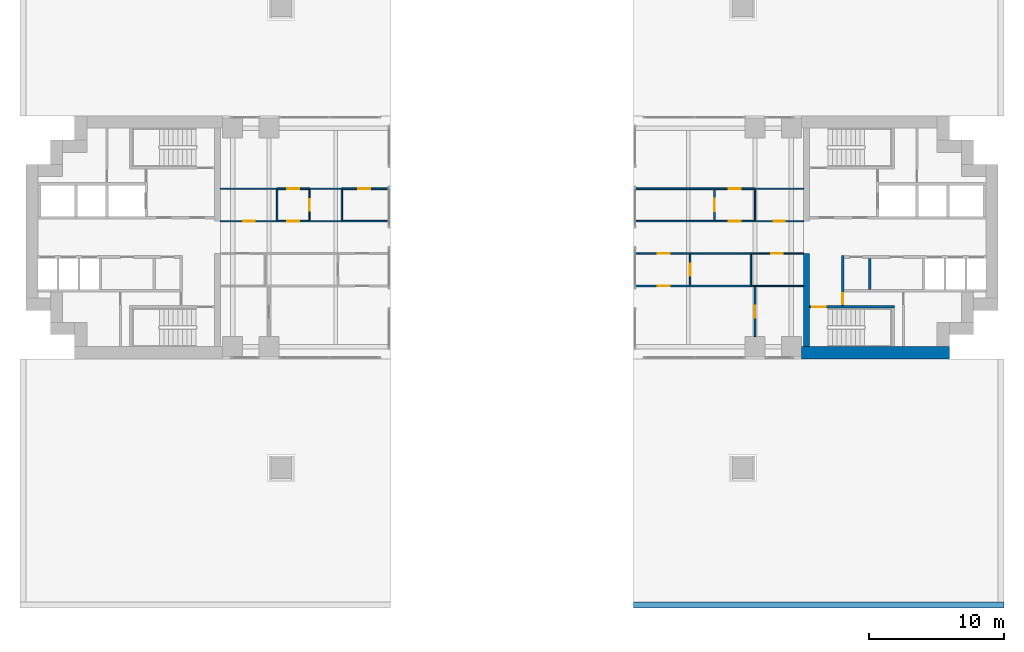
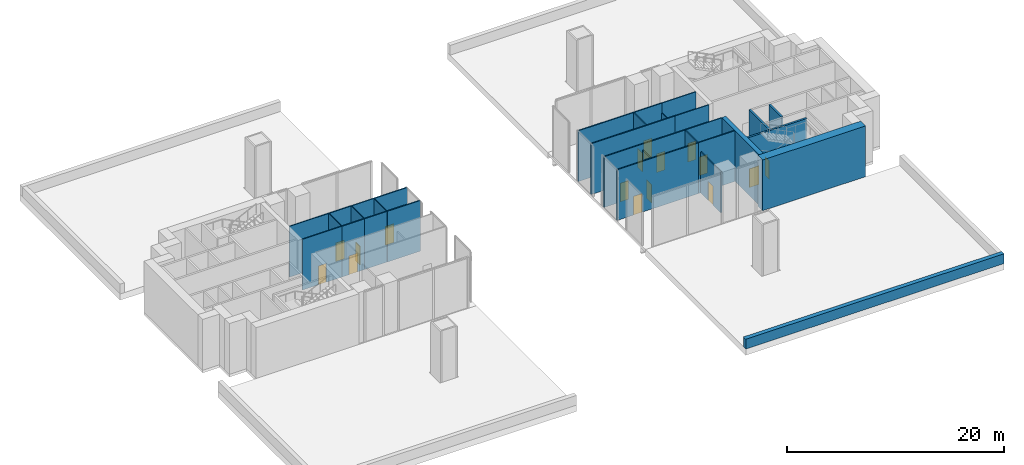
# One storey, part 7 of 13: 30 walls, 16 doors, 16 openings.
"""IFC4 building model written with IfcOpenShell, lengths in metres."""

from ifc_helpers import new_model, si_unit, direction, frame, frame_2d, origin, place, context, subcontext, project, spatial, rectangle, extrude, material, layer, layer_set, type_object, element, fill, save


model = new_model("IFC4")

# Units and contexts
model_context = context("Model", 3, precision=1e-05, world=origin(), true_north=direction((0.0, 1.0)))
body_context = subcontext(model_context, "Body", "Model", "MODEL_VIEW")
ifc_project = project(units=[si_unit("LENGTHUNIT", "METRE"), si_unit("AREAUNIT", "SQUARE_METRE"), si_unit("VOLUMEUNIT", "CUBIC_METRE"), si_unit("PLANEANGLEUNIT", "RADIAN"), si_unit("MASSUNIT", "GRAM", prefix="KILO")], contexts=[model_context])

# Site, building, storey
site_placement = place(None, origin())
site = spatial("IfcSite", under=ifc_project, at=site_placement, CompositionType="ELEMENT")
building_placement = place(site_placement, origin())
building = spatial("IfcBuilding", under=site, at=building_placement, Name="Perihelion Cross Residences", CompositionType="ELEMENT")
storey_placement = place(building_placement, frame((0.0, 0.0, 15.0)))
storey = spatial("IfcBuildingStorey", under=building, at=storey_placement, Name="L01", CompositionType="ELEMENT", Elevation=15.0)

# Walls
ifc_material_1 = material(Name="Concrete C60/75", Category="concrete")
ifc_layer_1 = layer(ifc_material_1, 0.449951171875)
ifc_layer_set_1 = layer_set([ifc_layer_1], Name="Core wall, inner 450")
wall_type_1 = type_object("IfcWallType", Name="Core wall, inner 450", PredefinedType="SHEAR", material=ifc_layer_set_1)
wall_1_placement = place(storey_placement, frame((21.824951171875, -8.10009765625, 0.0), z_axis=(0.0, 0.0, 1.0), x_axis=(0.0, 1.0, 0.0)))
element("IfcWall", 1, at=wall_1_placement, inside=storey, type_object=wall_type_1, Name="East core core wall, inner", PredefinedType="SHEAR", context=body_context, shape_type="SweptSolid", body=[
    extrude(rectangle(XDim=6.900146484375, YDim=0.449951171875, at=frame_2d((3.4501953125, 0.0))), origin(), (0.0, 0.0, 1.0), 5.699951171875),
])
ifc_material_2 = material(Name="Concrete C60/75", Category="concrete")
ifc_layer_2 = layer(ifc_material_2, 0.89990234375)
ifc_layer_set_2 = layer_set([ifc_layer_2], Name="Core wall, outer 900")
wall_type_2 = type_object("IfcWallType", Name="Core wall, outer 900", PredefinedType="SHEAR", material=ifc_layer_set_2)
wall_2_placement = place(storey_placement, frame((21.449951171875, -8.550048828125, 0.0), z_axis=(0.0, 0.0, 1.0), x_axis=(1.0, 0.0, 0.0)))
element("IfcWall", 2, at=wall_2_placement, inside=storey, type_object=wall_type_2, Name="East core core wall, outer", PredefinedType="SHEAR", context=body_context, shape_type="SweptSolid", body=[
    extrude(rectangle(XDim=10.949951171875, YDim=0.89990234375, at=frame_2d((5.47509765625, 0.0))), origin(), (0.0, 0.0, 1.0), 5.699951171875),
])

# Wall, opening, door
ifc_material_3 = material(Name="Concrete C50/60", Category="concrete")
ifc_layer_3 = layer(ifc_material_3, 0.199951171875)
ifc_layer_set_3 = layer_set([ifc_layer_3], Name="Lobby wall 200")
wall_type_3 = type_object("IfcWallType", Name="Lobby wall 200", PredefinedType="SOLIDWALL", material=ifc_layer_set_3)
wall_3_placement = place(storey_placement, frame((24.5, -5.050048828125, 0.0), z_axis=(0.0, 0.0, 1.0), x_axis=(0.0, 1.0, 0.0)))
wall_3 = element("IfcWall", 3, at=wall_3_placement, inside=storey, type_object=wall_type_3, Name="East core lobby wall", PredefinedType="SOLIDWALL", context=body_context, shape_type="SweptSolid", body=[
    extrude(rectangle(XDim=3.699951171875, YDim=0.199951171875, at=frame_2d((1.85009765625, 0.0))), origin(), (0.0, 0.0, 1.0), 5.699951171875),
])
opening_1_placement = place(wall_3_placement, frame((0.10009765625, 0.0, 0.0)))
opening_1 = element("IfcOpeningElement", 4, at=opening_1_placement, cuts=wall_3, Name="Opening L01.C08", PredefinedType="OPENING", context=body_context, shape_type="SweptSolid", body=[
    extrude(rectangle(XDim=0.800048828125, YDim=2.10009765625, at=frame_2d((0.39990234375, 1.050048828125))), frame((0.0, 0.10986328125, 0.0), z_axis=(0.0, -1.0, 0.0), x_axis=(1.0, 0.0, 0.0)), (0.0, 0.0, 1.0), 0.219970703125),
])
ifc_material_4 = material(Name="Steel, powder coated", Category="steel")
door_type_1 = type_object("IfcDoorType", Name="Riser door 800", OperationType="SINGLE_SWING_LEFT", PredefinedType="DOOR", material=ifc_material_4)
door_1_placement = place(opening_1_placement, origin())
door_1 = element("IfcDoor", 5, at=door_1_placement, inside=storey, type_object=door_type_1, Name="East core riser door", OperationType="SINGLE_SWING_LEFT", OverallHeight=2.10009765625, OverallWidth=0.800048828125, PredefinedType="DOOR", context=body_context, shape_type="SweptSolid", body=[
    extrude(rectangle(XDim=0.800048828125, YDim=2.10009765625, at=frame_2d((0.39990234375, 1.050048828125))), frame((0.0, 0.02490234375, 0.0), z_axis=(0.0, -1.0, 0.0), x_axis=(1.0, 0.0, 0.0)), (0.0, 0.0, 1.0), 0.050048828125),
])
fill(opening_1, door_1)

# Wall
ifc_material_5 = material(Name="Concrete C40/50", Category="concrete")
ifc_layer_4 = layer(ifc_material_5, 0.449951171875)
ifc_layer_set_4 = layer_set([ifc_layer_4], Name="Loggia parapet 450")
wall_type_4 = type_object("IfcWallType", Name="Loggia parapet 450", PredefinedType="PARAPET", material=ifc_layer_set_4)
wall_4_placement = place(storey_placement, frame((9.0, -27.22509765625, 0.0), z_axis=(0.0, 0.0, 1.0), x_axis=(1.0, 0.0, 0.0)))
element("IfcWall", 6, at=wall_4_placement, inside=storey, type_object=wall_type_4, Name="Wall PP2 L01 loggia parapet south-east north-south", PredefinedType="PARAPET", context=body_context, shape_type="SweptSolid", body=[
    extrude(rectangle(XDim=27.449951171875, YDim=0.449951171875, at=frame_2d((13.72509765625, 0.0))), origin(), (0.0, 0.0, 1.0), 1.10009765625),
])

# Wall, opening, door
ifc_material_6 = material(Name="Plasterboard partition")
ifc_layer_5 = layer(ifc_material_6, 0.1201171875)
ifc_layer_set_5 = layer_set([ifc_layer_5], Name="Partition wall 120")
wall_type_5 = type_object("IfcWallType", Name="Partition wall 120", PredefinedType="PARTITIONING", material=ifc_layer_set_5)
wall_5_placement = place(storey_placement, frame((9.080078125, 1.199951171875, 0.0), z_axis=(0.0, 0.0, 1.0), x_axis=(1.0, 0.0, 0.0)))
wall_5 = element("IfcWall", 7, at=wall_5_placement, inside=storey, type_object=wall_type_5, Name="Partition L01 W001", PredefinedType="PARTITIONING", context=body_context, shape_type="SweptSolid", body=[
    extrude(rectangle(XDim=8.919921875, YDim=0.1201171875, at=frame_2d((4.4599609375, 0.0))), origin(), (0.0, 0.0, 1.0), 5.699951171875),
])
opening_2_placement = place(wall_5_placement, frame((6.969970703125, 0.0, 0.0)))
opening_2 = element("IfcOpeningElement", 8, at=opening_2_placement, cuts=wall_5, Name="Opening L01.A01", PredefinedType="OPENING", context=body_context, shape_type="SweptSolid", body=[
    extrude(rectangle(XDim=0.89990234375, YDim=2.10009765625, at=frame_2d((0.449951171875, 1.050048828125))), frame((0.0, 0.070068359375, 0.0), z_axis=(0.0, -1.0, 0.0), x_axis=(1.0, 0.0, 0.0)), (0.0, 0.0, 1.0), 0.14013671875),
])
ifc_material_7 = material(Name="Timber door leaf", Category="wood")
door_type_2 = type_object("IfcDoorType", Name="Interior room door 900 x 2100", OperationType="SINGLE_SWING_LEFT", PredefinedType="DOOR", material=ifc_material_7)
door_2_placement = place(opening_2_placement, origin())
door_2 = element("IfcDoor", 9, at=door_2_placement, inside=storey, type_object=door_type_2, Name="Door L01.A01", OperationType="SINGLE_SWING_LEFT", OverallHeight=2.10009765625, OverallWidth=0.89990234375, PredefinedType="DOOR", context=body_context, shape_type="SweptSolid", body=[
    extrude(rectangle(XDim=0.89990234375, YDim=2.10009765625, at=frame_2d((0.449951171875, 1.050048828125))), frame((0.0, 0.02490234375, 0.0), z_axis=(0.0, -1.0, 0.0), x_axis=(1.0, 0.0, 0.0)), (0.0, 0.0, 1.0), 0.050048828125),
])
fill(opening_2, door_2)

wall_6_placement = place(storey_placement, frame((17.699951171875, -1.199951171875, 0.0), z_axis=(0.0, 0.0, 1.0), x_axis=(-1.0, 0.0, 0.0)))
wall_6 = element("IfcWall", 10, at=wall_6_placement, inside=storey, type_object=wall_type_5, Name="Partition L01 W003", PredefinedType="PARTITIONING", context=body_context, shape_type="SweptSolid", body=[
    extrude(rectangle(XDim=8.619873046875, YDim=0.1201171875, at=frame_2d((4.31005859375, 0.0))), origin(), (0.0, 0.0, 1.0), 5.699951171875),
])
opening_3_placement = place(wall_6_placement, frame((6.0, 0.0, 0.0)))
opening_3 = element("IfcOpeningElement", 11, at=opening_3_placement, cuts=wall_6, Name="Opening L01.A03", PredefinedType="OPENING", context=body_context, shape_type="SweptSolid", body=[
    extrude(rectangle(XDim=0.89990234375, YDim=2.10009765625, at=frame_2d((0.449951171875, 1.050048828125))), frame((0.0, 0.070068359375, 0.0), z_axis=(0.0, -1.0, 0.0), x_axis=(1.0, 0.0, 0.0)), (0.0, 0.0, 1.0), 0.14013671875),
])
door_3_placement = place(opening_3_placement, origin())
door_3 = element("IfcDoor", 12, at=door_3_placement, inside=storey, type_object=door_type_2, Name="Door L01.A03", OperationType="SINGLE_SWING_RIGHT", OverallHeight=2.10009765625, OverallWidth=0.89990234375, PredefinedType="DOOR", context=body_context, shape_type="SweptSolid", body=[
    extrude(rectangle(XDim=0.89990234375, YDim=2.10009765625, at=frame_2d((0.449951171875, 1.050048828125))), frame((0.0, 0.02490234375, 0.0), z_axis=(0.0, -1.0, 0.0), x_axis=(1.0, 0.0, 0.0)), (0.0, 0.0, 1.0), 0.050048828125),
])
fill(opening_3, door_3)

# Wall
wall_7_placement = place(storey_placement, frame((-12.60009765625, 1.199951171875, 0.0), z_axis=(0.0, 0.0, 1.0), x_axis=(1.0, 0.0, 0.0)))
element("IfcWall", 13, at=wall_7_placement, inside=storey, type_object=wall_type_5, Name="Partition L01 W005", PredefinedType="PARTITIONING", context=body_context, shape_type="SweptSolid", body=[
    extrude(rectangle(XDim=3.52001953125, YDim=0.1201171875, at=frame_2d((1.760009765625, 0.0))), origin(), (0.0, 0.0, 1.0), 5.699951171875),
])

# Wall, opening, door
wall_8_placement = place(storey_placement, frame((-17.39990234375, 1.199951171875, 0.0), z_axis=(0.0, 0.0, 1.0), x_axis=(1.0, 0.0, 0.0)))
wall_8 = element("IfcWall", 14, at=wall_8_placement, inside=storey, type_object=wall_type_5, Name="Partition L01 W007", PredefinedType="PARTITIONING", context=body_context, shape_type="SweptSolid", body=[
    extrude(rectangle(XDim=2.39990234375, YDim=0.1201171875, at=frame_2d((1.199951171875, 0.0))), origin(), (0.0, 0.0, 1.0), 5.699951171875),
])
opening_4_placement = place(wall_8_placement, frame((0.75, 0.0, 0.0)))
opening_4 = element("IfcOpeningElement", 15, at=opening_4_placement, cuts=wall_8, Name="Opening L01.A10", PredefinedType="OPENING", context=body_context, shape_type="SweptSolid", body=[
    extrude(rectangle(XDim=0.89990234375, YDim=2.10009765625, at=frame_2d((0.449951171875, 1.050048828125))), frame((0.0, 0.070068359375, 0.0), z_axis=(0.0, -1.0, 0.0), x_axis=(1.0, 0.0, 0.0)), (0.0, 0.0, 1.0), 0.14013671875),
])
door_4_placement = place(opening_4_placement, origin())
door_4 = element("IfcDoor", 16, at=door_4_placement, inside=storey, type_object=door_type_2, Name="Door L01.A10", OperationType="SINGLE_SWING_RIGHT", OverallHeight=2.10009765625, OverallWidth=0.89990234375, PredefinedType="DOOR", context=body_context, shape_type="SweptSolid", body=[
    extrude(rectangle(XDim=0.89990234375, YDim=2.10009765625, at=frame_2d((0.449951171875, 1.050048828125))), frame((0.0, 0.02490234375, 0.0), z_axis=(0.0, -1.0, 0.0), x_axis=(1.0, 0.0, 0.0)), (0.0, 0.0, 1.0), 0.050048828125),
])
fill(opening_4, door_4)

wall_9_placement = place(storey_placement, frame((18.0, 3.60009765625, 0.0), z_axis=(0.0, 0.0, 1.0), x_axis=(-1.0, 0.0, 0.0)))
wall_9 = element("IfcWall", 17, at=wall_9_placement, inside=storey, type_object=wall_type_5, Name="Partition L01 W011", PredefinedType="PARTITIONING", context=body_context, shape_type="SweptSolid", body=[
    extrude(rectangle(XDim=8.919921875, YDim=0.1201171875, at=frame_2d((4.4599609375, 0.0))), origin(), (0.0, 0.0, 1.0), 5.699951171875),
])
opening_5_placement = place(wall_9_placement, frame((1.050048828125, 0.0, 0.0)))
opening_5 = element("IfcOpeningElement", 18, at=opening_5_placement, cuts=wall_9, Name="Opening L01.A07", PredefinedType="OPENING", context=body_context, shape_type="SweptSolid", body=[
    extrude(rectangle(XDim=0.89990234375, YDim=2.10009765625, at=frame_2d((0.449951171875, 1.050048828125))), frame((0.0, 0.070068359375, 0.0), z_axis=(0.0, -1.0, 0.0), x_axis=(1.0, 0.0, 0.0)), (0.0, 0.0, 1.0), 0.14013671875),
])
door_5_placement = place(opening_5_placement, origin())
door_5 = element("IfcDoor", 19, at=door_5_placement, inside=storey, type_object=door_type_2, Name="Door L01.A07", OperationType="SINGLE_SWING_RIGHT", OverallHeight=2.10009765625, OverallWidth=0.89990234375, PredefinedType="DOOR", context=body_context, shape_type="SweptSolid", body=[
    extrude(rectangle(XDim=0.89990234375, YDim=2.10009765625, at=frame_2d((0.449951171875, 1.050048828125))), frame((0.0, 0.02490234375, 0.0), z_axis=(0.0, -1.0, 0.0), x_axis=(1.0, 0.0, 0.0)), (0.0, 0.0, 1.0), 0.050048828125),
])
fill(opening_5, door_5)

wall_10_placement = place(storey_placement, frame((15.0, 3.5400390625, 0.0), z_axis=(0.0, 0.0, 1.0), x_axis=(0.0, -1.0, 0.0)))
wall_10 = element("IfcWall", 20, at=wall_10_placement, inside=storey, type_object=wall_type_5, Name="Partition L01 W013", PredefinedType="PARTITIONING", context=body_context, shape_type="SweptSolid", body=[
    extrude(rectangle(XDim=2.280029296875, YDim=0.1201171875, at=frame_2d((1.14013671875, 0.0))), origin(), (0.0, 0.0, 1.0), 5.699951171875),
])
opening_6_placement = place(wall_10_placement, frame((0.68994140625, 0.0, 0.0)))
opening_6 = element("IfcOpeningElement", 21, at=opening_6_placement, cuts=wall_10, Name="Opening L01.A08", PredefinedType="OPENING", context=body_context, shape_type="SweptSolid", body=[
    extrude(rectangle(XDim=0.89990234375, YDim=2.10009765625, at=frame_2d((0.449951171875, 1.050048828125))), frame((0.0, 0.070068359375, 0.0), z_axis=(0.0, -1.0, 0.0), x_axis=(1.0, 0.0, 0.0)), (0.0, 0.0, 1.0), 0.14013671875),
])
door_6_placement = place(opening_6_placement, origin())
door_6 = element("IfcDoor", 22, at=door_6_placement, inside=storey, type_object=door_type_2, Name="Door L01.A08", OperationType="SINGLE_SWING_LEFT", OverallHeight=2.10009765625, OverallWidth=0.89990234375, PredefinedType="DOOR", context=body_context, shape_type="SweptSolid", body=[
    extrude(rectangle(XDim=0.89990234375, YDim=2.10009765625, at=frame_2d((0.449951171875, 1.050048828125))), frame((0.0, 0.02490234375, 0.0), z_axis=(0.0, -1.0, 0.0), x_axis=(1.0, 0.0, 0.0)), (0.0, 0.0, 1.0), 0.050048828125),
])
fill(opening_6, door_6)

wall_11_placement = place(storey_placement, frame((18.0, -3.64990234375, 0.0), z_axis=(0.0, 0.0, 1.0), x_axis=(0.0, -1.0, 0.0)))
wall_11 = element("IfcWall", 23, at=wall_11_placement, inside=storey, type_object=wall_type_5, Name="Partition L01 W015", PredefinedType="PARTITIONING", context=body_context, shape_type="SweptSolid", body=[
    extrude(rectangle(XDim=3.7001953125, YDim=0.1201171875, at=frame_2d((1.85009765625, 0.0))), origin(), (0.0, 0.0, 1.0), 4.610107421875),
])
opening_7_placement = place(wall_11_placement, frame((1.39990234375, 0.0, 0.0)))
opening_7 = element("IfcOpeningElement", 24, at=opening_7_placement, cuts=wall_11, Name="Opening L01.A06", PredefinedType="OPENING", context=body_context, shape_type="SweptSolid", body=[
    extrude(rectangle(XDim=0.89990234375, YDim=2.10009765625, at=frame_2d((0.449951171875, 1.050048828125))), frame((0.0, 0.070068359375, 0.0), z_axis=(0.0, -1.0, 0.0), x_axis=(1.0, 0.0, 0.0)), (0.0, 0.0, 1.0), 0.14013671875),
])
door_7_placement = place(opening_7_placement, origin())
door_7 = element("IfcDoor", 25, at=door_7_placement, inside=storey, type_object=door_type_2, Name="Door L01.A06", OperationType="SINGLE_SWING_RIGHT", OverallHeight=2.10009765625, OverallWidth=0.89990234375, PredefinedType="DOOR", context=body_context, shape_type="SweptSolid", body=[
    extrude(rectangle(XDim=0.89990234375, YDim=2.10009765625, at=frame_2d((0.449951171875, 1.050048828125))), frame((0.0, 0.02490234375, 0.0), z_axis=(0.0, -1.0, 0.0), x_axis=(1.0, 0.0, 0.0)), (0.0, 0.0, 1.0), 0.050048828125),
])
fill(opening_7, door_7)

wall_12_placement = place(storey_placement, frame((9.080078125, -3.60009765625, 0.0), z_axis=(0.0, 0.0, 1.0), x_axis=(1.0, 0.0, 0.0)))
wall_12 = element("IfcWall", 26, at=wall_12_placement, inside=storey, type_object=wall_type_5, Name="Partition L01 W016", PredefinedType="PARTITIONING", context=body_context, shape_type="SweptSolid", body=[
    extrude(rectangle(XDim=8.619873046875, YDim=0.1201171875, at=frame_2d((4.31005859375, 0.0))), origin(), (0.0, 0.0, 1.0), 5.699951171875),
])
opening_8_placement = place(wall_12_placement, frame((1.719970703125, 0.0, 0.0)))
opening_8 = element("IfcOpeningElement", 27, at=opening_8_placement, cuts=wall_12, Name="Opening L01.A05", PredefinedType="OPENING", context=body_context, shape_type="SweptSolid", body=[
    extrude(rectangle(XDim=0.89990234375, YDim=2.10009765625, at=frame_2d((0.449951171875, 1.050048828125))), frame((0.0, 0.070068359375, 0.0), z_axis=(0.0, -1.0, 0.0), x_axis=(1.0, 0.0, 0.0)), (0.0, 0.0, 1.0), 0.14013671875),
])
door_8_placement = place(opening_8_placement, origin())
door_8 = element("IfcDoor", 28, at=door_8_placement, inside=storey, type_object=door_type_2, Name="Door L01.A05", OperationType="SINGLE_SWING_LEFT", OverallHeight=2.10009765625, OverallWidth=0.89990234375, PredefinedType="DOOR", context=body_context, shape_type="SweptSolid", body=[
    extrude(rectangle(XDim=0.89990234375, YDim=2.10009765625, at=frame_2d((0.449951171875, 1.050048828125))), frame((0.0, 0.02490234375, 0.0), z_axis=(0.0, -1.0, 0.0), x_axis=(1.0, 0.0, 0.0)), (0.0, 0.0, 1.0), 0.050048828125),
])
fill(opening_8, door_8)

wall_13_placement = place(storey_placement, frame((13.199951171875, -1.260009765625, 0.0), z_axis=(0.0, 0.0, 1.0), x_axis=(0.0, -1.0, 0.0)))
wall_13 = element("IfcWall", 29, at=wall_13_placement, inside=storey, type_object=wall_type_5, Name="Partition L01 W018", PredefinedType="PARTITIONING", context=body_context, shape_type="SweptSolid", body=[
    extrude(rectangle(XDim=2.280029296875, YDim=0.1201171875, at=frame_2d((1.14013671875, 0.0))), origin(), (0.0, 0.0, 1.0), 5.007080078125),
])
opening_9_placement = place(wall_13_placement, frame((0.68994140625, 0.0, 0.0)))
opening_9 = element("IfcOpeningElement", 30, at=opening_9_placement, cuts=wall_13, Name="Opening L01.A09", PredefinedType="OPENING", context=body_context, shape_type="SweptSolid", body=[
    extrude(rectangle(XDim=0.89990234375, YDim=2.10009765625, at=frame_2d((0.449951171875, 1.050048828125))), frame((0.0, 0.070068359375, 0.0), z_axis=(0.0, -1.0, 0.0), x_axis=(1.0, 0.0, 0.0)), (0.0, 0.0, 1.0), 0.14013671875),
])
door_9_placement = place(opening_9_placement, origin())
door_9 = element("IfcDoor", 31, at=door_9_placement, inside=storey, type_object=door_type_2, Name="Door L01.A09", OperationType="SINGLE_SWING_RIGHT", OverallHeight=2.10009765625, OverallWidth=0.89990234375, PredefinedType="DOOR", context=body_context, shape_type="SweptSolid", body=[
    extrude(rectangle(XDim=0.89990234375, YDim=2.10009765625, at=frame_2d((0.449951171875, 1.050048828125))), frame((0.0, 0.02490234375, 0.0), z_axis=(0.0, -1.0, 0.0), x_axis=(1.0, 0.0, 0.0)), (0.0, 0.0, 1.0), 0.050048828125),
])
fill(opening_9, door_9)

wall_14_placement = place(storey_placement, frame((-9.080078125, 3.60009765625, 0.0), z_axis=(0.0, 0.0, 1.0), x_axis=(-1.0, 0.0, 0.0)))
wall_14 = element("IfcWall", 32, at=wall_14_placement, inside=storey, type_object=wall_type_5, Name="Partition L01 W020", PredefinedType="PARTITIONING", context=body_context, shape_type="SweptSolid", body=[
    extrude(rectangle(XDim=3.52001953125, YDim=0.1201171875, at=frame_2d((1.760009765625, 0.0))), origin(), (0.0, 0.0, 1.0), 5.699951171875),
])
opening_10_placement = place(wall_14_placement, frame((1.419921875, 0.0, 0.0)))
opening_10 = element("IfcOpeningElement", 33, at=opening_10_placement, cuts=wall_14, Name="Opening L01.A15", PredefinedType="OPENING", context=body_context, shape_type="SweptSolid", body=[
    extrude(rectangle(XDim=0.89990234375, YDim=2.10009765625, at=frame_2d((0.449951171875, 1.050048828125))), frame((0.0, 0.070068359375, 0.0), z_axis=(0.0, -1.0, 0.0), x_axis=(1.0, 0.0, 0.0)), (0.0, 0.0, 1.0), 0.14013671875),
])
door_10_placement = place(opening_10_placement, origin())
door_10 = element("IfcDoor", 34, at=door_10_placement, inside=storey, type_object=door_type_2, Name="Door L01.A15", OperationType="SINGLE_SWING_LEFT", OverallHeight=2.10009765625, OverallWidth=0.89990234375, PredefinedType="DOOR", context=body_context, shape_type="SweptSolid", body=[
    extrude(rectangle(XDim=0.89990234375, YDim=2.10009765625, at=frame_2d((0.449951171875, 1.050048828125))), frame((0.0, 0.02490234375, 0.0), z_axis=(0.0, -1.0, 0.0), x_axis=(1.0, 0.0, 0.0)), (0.0, 0.0, 1.0), 0.050048828125),
])
fill(opening_10, door_10)

wall_15_placement = place(storey_placement, frame((-15.0, 3.60009765625, 0.0), z_axis=(0.0, 0.0, 1.0), x_axis=(-1.0, 0.0, 0.0)))
wall_15 = element("IfcWall", 35, at=wall_15_placement, inside=storey, type_object=wall_type_5, Name="Partition L01 W022", PredefinedType="PARTITIONING", context=body_context, shape_type="SweptSolid", body=[
    extrude(rectangle(XDim=2.39990234375, YDim=0.1201171875, at=frame_2d((1.199951171875, 0.0))), origin(), (0.0, 0.0, 1.0), 5.699951171875),
])
opening_11_placement = place(wall_15_placement, frame((0.75, 0.0, 0.0)))
opening_11 = element("IfcOpeningElement", 36, at=opening_11_placement, cuts=wall_15, Name="Opening L01.A14", PredefinedType="OPENING", context=body_context, shape_type="SweptSolid", body=[
    extrude(rectangle(XDim=0.89990234375, YDim=2.10009765625, at=frame_2d((0.449951171875, 1.050048828125))), frame((0.0, 0.070068359375, 0.0), z_axis=(0.0, -1.0, 0.0), x_axis=(1.0, 0.0, 0.0)), (0.0, 0.0, 1.0), 0.14013671875),
])
door_11_placement = place(opening_11_placement, origin())
door_11 = element("IfcDoor", 37, at=door_11_placement, inside=storey, type_object=door_type_2, Name="Door L01.A14", OperationType="SINGLE_SWING_RIGHT", OverallHeight=2.10009765625, OverallWidth=0.89990234375, PredefinedType="DOOR", context=body_context, shape_type="SweptSolid", body=[
    extrude(rectangle(XDim=0.89990234375, YDim=2.10009765625, at=frame_2d((0.449951171875, 1.050048828125))), frame((0.0, 0.02490234375, 0.0), z_axis=(0.0, -1.0, 0.0), x_axis=(1.0, 0.0, 0.0)), (0.0, 0.0, 1.0), 0.050048828125),
])
fill(opening_11, door_11)

# Wall
ifc_material_8 = material(Name="Fire-rated board on steel stud", Category="steel")
ifc_layer_6 = layer(ifc_material_8, 0.199951171875)
ifc_layer_set_6 = layer_set([ifc_layer_6], Name="Riser wall 200")
wall_type_6 = type_object("IfcWallType", Name="Riser wall 200", PredefinedType="PARTITIONING", material=ifc_layer_set_6)
wall_16_placement = place(storey_placement, frame((26.5, -3.85009765625, 0.0), z_axis=(0.0, 0.0, 1.0), x_axis=(0.0, 1.0, 0.0)))
element("IfcWall", 38, at=wall_16_placement, inside=storey, type_object=wall_type_6, Name="East core riser wall", PredefinedType="PARTITIONING", context=body_context, shape_type="SweptSolid", body=[
    extrude(rectangle(XDim=2.300048828125, YDim=0.199951171875, at=frame_2d((1.14990234375, 0.0))), origin(), (0.0, 0.0, 1.0), 5.699951171875),
])

# Wall, opening, door
ifc_material_9 = material(Name="Concrete C50/60", Category="concrete")
ifc_layer_7 = layer(ifc_material_9, 0.199951171875)
ifc_layer_set_7 = layer_set([ifc_layer_7], Name="Stair wall 200")
wall_type_7 = type_object("IfcWallType", Name="Stair wall 200", PredefinedType="SOLIDWALL", material=ifc_layer_set_7)
wall_17_placement = place(storey_placement, frame((22.050048828125, -5.14990234375, 0.0), z_axis=(0.0, 0.0, 1.0), x_axis=(1.0, 0.0, 0.0)))
wall_17 = element("IfcWall", 39, at=wall_17_placement, inside=storey, type_object=wall_type_7, Name="East core stair wall", PredefinedType="SOLIDWALL", context=body_context, shape_type="SweptSolid", body=[
    extrude(rectangle(XDim=6.300048828125, YDim=0.199951171875, at=frame_2d((3.14990234375, 0.0))), origin(), (0.0, 0.0, 1.0), 5.699951171875),
])
opening_12_placement = place(wall_17_placement, frame((0.199951171875, 0.0, 0.0)))
opening_12 = element("IfcOpeningElement", 40, at=opening_12_placement, cuts=wall_17, Name="Opening L01.C05", PredefinedType="OPENING", context=body_context, shape_type="SweptSolid", body=[
    extrude(rectangle(XDim=1.0, YDim=2.10009765625, at=frame_2d((0.5, 1.050048828125))), frame((0.0, 0.10986328125, 0.0), z_axis=(0.0, -1.0, 0.0), x_axis=(1.0, 0.0, 0.0)), (0.0, 0.0, 1.0), 0.219970703125),
])
ifc_material_10 = material(Name="Steel, powder coated", Category="steel")
door_type_3 = type_object("IfcDoorType", Name="Stair door 1000", OperationType="SINGLE_SWING_LEFT", PredefinedType="DOOR", material=ifc_material_10)
door_12_placement = place(opening_12_placement, origin())
door_12 = element("IfcDoor", 41, at=door_12_placement, inside=storey, type_object=door_type_3, Name="East core stair door", OperationType="SINGLE_SWING_LEFT", OverallHeight=2.10009765625, OverallWidth=1.0, PredefinedType="DOOR", context=body_context, shape_type="SweptSolid", body=[
    extrude(rectangle(XDim=1.0, YDim=2.10009765625, at=frame_2d((0.5, 1.050048828125))), frame((0.0, 0.02490234375, 0.0), z_axis=(0.0, -1.0, 0.0), x_axis=(1.0, 0.0, 0.0)), (0.0, 0.0, 1.0), 0.050048828125),
])
fill(opening_12, door_12)

ifc_material_11 = material(Name="Plasterboard partition")
ifc_layer_8 = layer(ifc_material_11, 0.10009765625)
ifc_layer_set_8 = layer_set([ifc_layer_8], Name="Wet room wall 100")
wall_type_8 = type_object("IfcWallType", Name="Wet room wall 100", PredefinedType="PARTITIONING", material=ifc_layer_set_8)
wall_18_placement = place(storey_placement, frame((18.0, 1.199951171875, 0.0), z_axis=(0.0, 0.0, 1.0), x_axis=(1.0, 0.0, 0.0)))
wall_18 = element("IfcWall", 42, at=wall_18_placement, inside=storey, type_object=wall_type_8, Name="Partition L01 W002", PredefinedType="PARTITIONING", context=body_context, shape_type="SweptSolid", body=[
    extrude(rectangle(XDim=3.60009765625, YDim=0.10009765625, at=frame_2d((1.800048828125, 0.0))), origin(), (0.0, 0.0, 1.0), 5.699951171875),
])
opening_13_placement = place(wall_18_placement, frame((1.375, 0.0, 0.0)))
opening_13 = element("IfcOpeningElement", 43, at=opening_13_placement, cuts=wall_18, Name="Opening L01.A02", PredefinedType="OPENING", context=body_context, shape_type="SweptSolid", body=[
    extrude(rectangle(XDim=0.85009765625, YDim=2.10009765625, at=frame_2d((0.425048828125, 1.050048828125))), frame((0.0, 0.06005859375, 0.0), z_axis=(0.0, -1.0, 0.0), x_axis=(1.0, 0.0, 0.0)), (0.0, 0.0, 1.0), 0.1201171875),
])
ifc_material_12 = material(Name="Timber door leaf", Category="wood")
door_type_4 = type_object("IfcDoorType", Name="Interior bathroom door 850 x 2100", OperationType="SINGLE_SWING_LEFT", PredefinedType="DOOR", material=ifc_material_12)
door_13_placement = place(opening_13_placement, origin())
door_13 = element("IfcDoor", 44, at=door_13_placement, inside=storey, type_object=door_type_4, Name="Door L01.A02", OperationType="SINGLE_SWING_RIGHT", OverallHeight=2.10009765625, OverallWidth=0.85009765625, PredefinedType="DOOR", context=body_context, shape_type="SweptSolid", body=[
    extrude(rectangle(XDim=0.85009765625, YDim=2.10009765625, at=frame_2d((0.425048828125, 1.050048828125))), frame((0.0, 0.02490234375, 0.0), z_axis=(0.0, -1.0, 0.0), x_axis=(1.0, 0.0, 0.0)), (0.0, 0.0, 1.0), 0.050048828125),
])
fill(opening_13, door_13)

wall_19_placement = place(storey_placement, frame((21.60009765625, -1.199951171875, 0.0), z_axis=(0.0, 0.0, 1.0), x_axis=(-1.0, 0.0, 0.0)))
wall_19 = element("IfcWall", 45, at=wall_19_placement, inside=storey, type_object=wall_type_8, Name="Partition L01 W004", PredefinedType="PARTITIONING", context=body_context, shape_type="SweptSolid", body=[
    extrude(rectangle(XDim=3.900146484375, YDim=0.10009765625, at=frame_2d((1.9501953125, 0.0))), origin(), (0.0, 0.0, 1.0), 5.699951171875),
])
opening_14_placement = place(wall_19_placement, frame((1.52490234375, 0.0, 0.0)))
opening_14 = element("IfcOpeningElement", 46, at=opening_14_placement, cuts=wall_19, Name="Opening L01.A04", PredefinedType="OPENING", context=body_context, shape_type="SweptSolid", body=[
    extrude(rectangle(XDim=0.85009765625, YDim=2.10009765625, at=frame_2d((0.425048828125, 1.050048828125))), frame((0.0, 0.06005859375, 0.0), z_axis=(0.0, -1.0, 0.0), x_axis=(1.0, 0.0, 0.0)), (0.0, 0.0, 1.0), 0.1201171875),
])
door_14_placement = place(opening_14_placement, origin())
door_14 = element("IfcDoor", 47, at=door_14_placement, inside=storey, type_object=door_type_4, Name="Door L01.A04", OperationType="SINGLE_SWING_RIGHT", OverallHeight=2.10009765625, OverallWidth=0.85009765625, PredefinedType="DOOR", context=body_context, shape_type="SweptSolid", body=[
    extrude(rectangle(XDim=0.85009765625, YDim=2.10009765625, at=frame_2d((0.425048828125, 1.050048828125))), frame((0.0, 0.02490234375, 0.0), z_axis=(0.0, -1.0, 0.0), x_axis=(1.0, 0.0, 0.0)), (0.0, 0.0, 1.0), 0.050048828125),
])
fill(opening_14, door_14)

# Wall
wall_20_placement = place(storey_placement, frame((-15.0, 1.199951171875, 0.0), z_axis=(0.0, 0.0, 1.0), x_axis=(1.0, 0.0, 0.0)))
element("IfcWall", 48, at=wall_20_placement, inside=storey, type_object=wall_type_8, Name="Partition L01 W006", PredefinedType="PARTITIONING", context=body_context, shape_type="SweptSolid", body=[
    extrude(rectangle(XDim=2.39990234375, YDim=0.10009765625, at=frame_2d((1.199951171875, 0.0))), origin(), (0.0, 0.0, 1.0), 5.699951171875),
])

# Wall, opening, door
wall_21_placement = place(storey_placement, frame((-21.60009765625, 1.199951171875, 0.0), z_axis=(0.0, 0.0, 1.0), x_axis=(1.0, 0.0, 0.0)))
wall_21 = element("IfcWall", 49, at=wall_21_placement, inside=storey, type_object=wall_type_8, Name="Partition L01 W008", PredefinedType="PARTITIONING", context=body_context, shape_type="SweptSolid", body=[
    extrude(rectangle(XDim=4.2001953125, YDim=0.10009765625, at=frame_2d((2.10009765625, 0.0))), origin(), (0.0, 0.0, 1.0), 5.699951171875),
])
opening_15_placement = place(wall_21_placement, frame((1.675048828125, 0.0, 0.0)))
opening_15 = element("IfcOpeningElement", 50, at=opening_15_placement, cuts=wall_21, Name="Opening L01.A11", PredefinedType="OPENING", context=body_context, shape_type="SweptSolid", body=[
    extrude(rectangle(XDim=0.85009765625, YDim=2.10009765625, at=frame_2d((0.425048828125, 1.050048828125))), frame((0.0, 0.06005859375, 0.0), z_axis=(0.0, -1.0, 0.0), x_axis=(1.0, 0.0, 0.0)), (0.0, 0.0, 1.0), 0.1201171875),
])
door_15_placement = place(opening_15_placement, origin())
door_15 = element("IfcDoor", 51, at=door_15_placement, inside=storey, type_object=door_type_4, Name="Door L01.A11", OperationType="SINGLE_SWING_LEFT", OverallHeight=2.10009765625, OverallWidth=0.85009765625, PredefinedType="DOOR", context=body_context, shape_type="SweptSolid", body=[
    extrude(rectangle(XDim=0.85009765625, YDim=2.10009765625, at=frame_2d((0.425048828125, 1.050048828125))), frame((0.0, 0.02490234375, 0.0), z_axis=(0.0, -1.0, 0.0), x_axis=(1.0, 0.0, 0.0)), (0.0, 0.0, 1.0), 0.050048828125),
])
fill(opening_15, door_15)

# Walls
wall_22_placement = place(storey_placement, frame((21.60009765625, 3.60009765625, 0.0), z_axis=(0.0, 0.0, 1.0), x_axis=(-1.0, 0.0, 0.0)))
element("IfcWall", 52, at=wall_22_placement, inside=storey, type_object=wall_type_8, Name="Partition L01 W012", PredefinedType="PARTITIONING", context=body_context, shape_type="SweptSolid", body=[
    extrude(rectangle(XDim=3.60009765625, YDim=0.10009765625, at=frame_2d((1.800048828125, 0.0))), origin(), (0.0, 0.0, 1.0), 5.699951171875),
])
wall_23_placement = place(storey_placement, frame((18.0, 3.5400390625, 0.0), z_axis=(0.0, 0.0, 1.0), x_axis=(0.0, -1.0, 0.0)))
element("IfcWall", 53, at=wall_23_placement, inside=storey, type_object=wall_type_8, Name="Partition L01 W014", PredefinedType="PARTITIONING", context=body_context, shape_type="SweptSolid", body=[
    extrude(rectangle(XDim=2.280029296875, YDim=0.10009765625, at=frame_2d((1.14013671875, 0.0))), origin(), (0.0, 0.0, 1.0), 4.610107421875),
])
wall_24_placement = place(storey_placement, frame((17.699951171875, -3.60009765625, 0.0), z_axis=(0.0, 0.0, 1.0), x_axis=(1.0, 0.0, 0.0)))
element("IfcWall", 54, at=wall_24_placement, inside=storey, type_object=wall_type_8, Name="Partition L01 W017", PredefinedType="PARTITIONING", context=body_context, shape_type="SweptSolid", body=[
    extrude(rectangle(XDim=3.900146484375, YDim=0.10009765625, at=frame_2d((1.9501953125, 0.0))), origin(), (0.0, 0.0, 1.0), 5.699951171875),
])
wall_25_placement = place(storey_placement, frame((17.699951171875, -1.260009765625, 0.0), z_axis=(0.0, 0.0, 1.0), x_axis=(0.0, -1.0, 0.0)))
element("IfcWall", 55, at=wall_25_placement, inside=storey, type_object=wall_type_8, Name="Partition L01 W019", PredefinedType="PARTITIONING", context=body_context, shape_type="SweptSolid", body=[
    extrude(rectangle(XDim=2.280029296875, YDim=0.10009765625, at=frame_2d((1.14013671875, 0.0))), origin(), (0.0, 0.0, 1.0), 5.699951171875),
])
wall_26_placement = place(storey_placement, frame((-12.60009765625, 3.60009765625, 0.0), z_axis=(0.0, 0.0, 1.0), x_axis=(-1.0, 0.0, 0.0)))
element("IfcWall", 56, at=wall_26_placement, inside=storey, type_object=wall_type_8, Name="Partition L01 W021", PredefinedType="PARTITIONING", context=body_context, shape_type="SweptSolid", body=[
    extrude(rectangle(XDim=2.39990234375, YDim=0.10009765625, at=frame_2d((1.199951171875, 0.0))), origin(), (0.0, 0.0, 1.0), 5.699951171875),
])
wall_27_placement = place(storey_placement, frame((-17.39990234375, 3.60009765625, 0.0), z_axis=(0.0, 0.0, 1.0), x_axis=(-1.0, 0.0, 0.0)))
element("IfcWall", 57, at=wall_27_placement, inside=storey, type_object=wall_type_8, Name="Partition L01 W023", PredefinedType="PARTITIONING", context=body_context, shape_type="SweptSolid", body=[
    extrude(rectangle(XDim=4.2001953125, YDim=0.10009765625, at=frame_2d((2.10009765625, 0.0))), origin(), (0.0, 0.0, 1.0), 5.699951171875),
])
wall_28_placement = place(storey_placement, frame((-12.60009765625, 1.260009765625, 0.0), z_axis=(0.0, 0.0, 1.0), x_axis=(0.0, 1.0, 0.0)))
element("IfcWall", 58, at=wall_28_placement, inside=storey, type_object=wall_type_8, Name="Partition L01 W024", PredefinedType="PARTITIONING", context=body_context, shape_type="SweptSolid", body=[
    extrude(rectangle(XDim=2.280029296875, YDim=0.10009765625, at=frame_2d((1.14013671875, 0.0))), origin(), (0.0, 0.0, 1.0), 5.699951171875),
])

# Wall, opening, door
wall_29_placement = place(storey_placement, frame((-15.0, 1.260009765625, 0.0), z_axis=(0.0, 0.0, 1.0), x_axis=(0.0, 1.0, 0.0)))
wall_29 = element("IfcWall", 59, at=wall_29_placement, inside=storey, type_object=wall_type_8, Name="Partition L01 W025", PredefinedType="PARTITIONING", context=body_context, shape_type="SweptSolid", body=[
    extrude(rectangle(XDim=2.280029296875, YDim=0.10009765625, at=frame_2d((1.14013671875, 0.0))), origin(), (0.0, 0.0, 1.0), 5.699951171875),
])
opening_16_placement = place(wall_29_placement, frame((0.715087890625, 0.0, 0.0)))
opening_16 = element("IfcOpeningElement", 60, at=opening_16_placement, cuts=wall_29, Name="Opening L01.A17", PredefinedType="OPENING", context=body_context, shape_type="SweptSolid", body=[
    extrude(rectangle(XDim=0.85009765625, YDim=2.10009765625, at=frame_2d((0.425048828125, 1.050048828125))), frame((0.0, 0.06005859375, 0.0), z_axis=(0.0, -1.0, 0.0), x_axis=(1.0, 0.0, 0.0)), (0.0, 0.0, 1.0), 0.1201171875),
])
door_16_placement = place(opening_16_placement, origin())
door_16 = element("IfcDoor", 61, at=door_16_placement, inside=storey, type_object=door_type_4, Name="Door L01.A17", OperationType="SINGLE_SWING_RIGHT", OverallHeight=2.10009765625, OverallWidth=0.85009765625, PredefinedType="DOOR", context=body_context, shape_type="SweptSolid", body=[
    extrude(rectangle(XDim=0.85009765625, YDim=2.10009765625, at=frame_2d((0.425048828125, 1.050048828125))), frame((0.0, 0.02490234375, 0.0), z_axis=(0.0, -1.0, 0.0), x_axis=(1.0, 0.0, 0.0)), (0.0, 0.0, 1.0), 0.050048828125),
])
fill(opening_16, door_16)

# Wall
wall_30_placement = place(storey_placement, frame((-17.39990234375, 1.260009765625, 0.0), z_axis=(0.0, 0.0, 1.0), x_axis=(0.0, 1.0, 0.0)))
element("IfcWall", 62, at=wall_30_placement, inside=storey, type_object=wall_type_8, Name="Partition L01 W026", PredefinedType="PARTITIONING", context=body_context, shape_type="SweptSolid", body=[
    extrude(rectangle(XDim=2.280029296875, YDim=0.10009765625, at=frame_2d((1.14013671875, 0.0))), origin(), (0.0, 0.0, 1.0), 5.699951171875),
])

save(model, "model.ifc")
